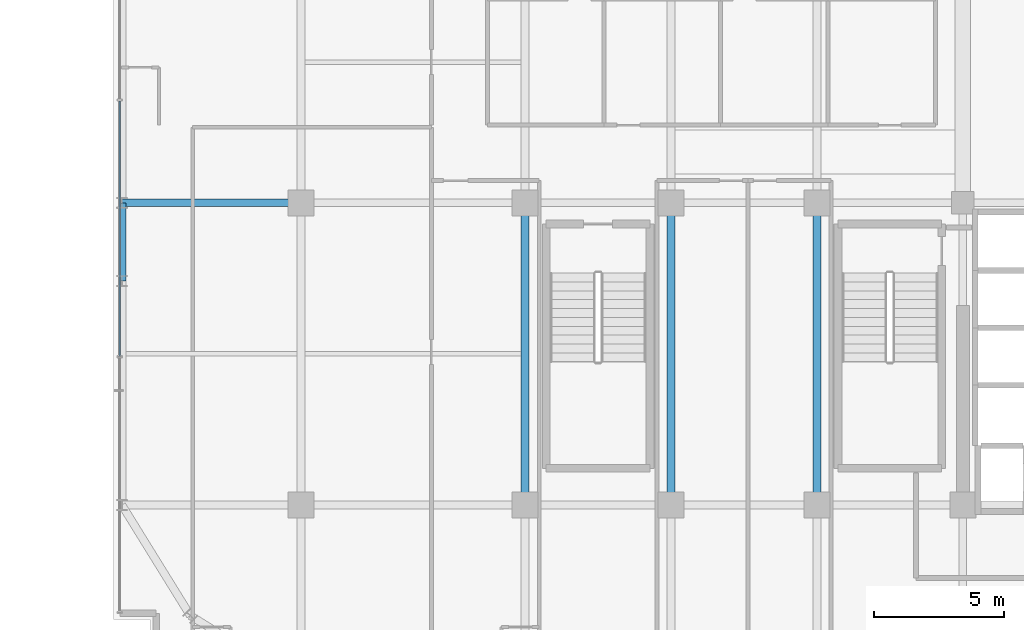
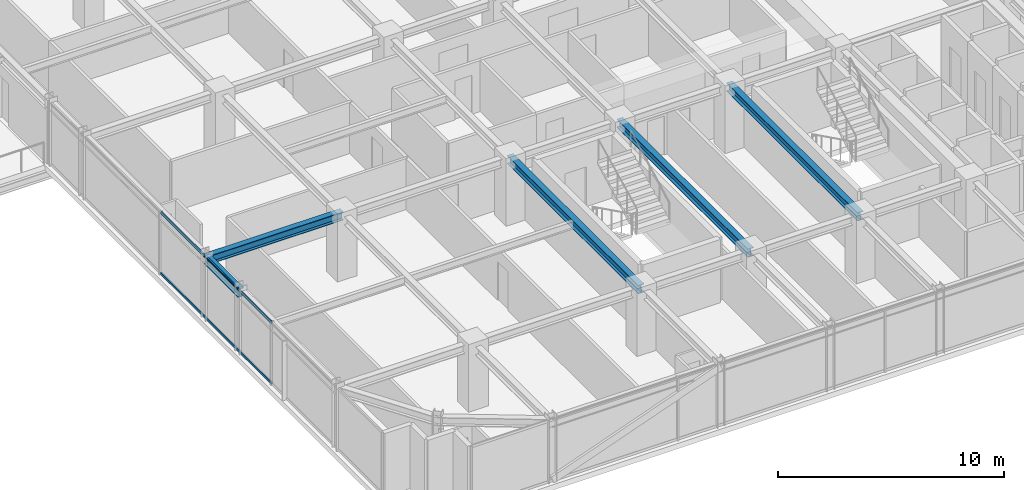
# One storey, part 9 of 36: 5 beams, 2 members, 1 element without a shape of its own.
"""IFC4 building model written with IfcOpenShell, lengths in metres."""

from ifc_helpers import new_model, si_unit, direction, frame, origin, origin_2d, place, context, subcontext, project, spatial, hollow_rectangle, i_section, extrude, source, transform, mapped, material, material_profile, profile_set, type_object, element, aggregate, save


model = new_model("IFC4")

# Units and contexts
model_context = context("Model", 3, precision=1e-05, world=origin(), true_north=direction((0.0, 1.0)))
body_context = subcontext(model_context, "Body", "Model", "MODEL_VIEW")
ifc_project = project(units=[si_unit("LENGTHUNIT", "METRE"), si_unit("AREAUNIT", "SQUARE_METRE"), si_unit("VOLUMEUNIT", "CUBIC_METRE"), si_unit("PLANEANGLEUNIT", "RADIAN"), si_unit("MASSUNIT", "GRAM", prefix="KILO")], contexts=[model_context])

# Site, building, storey
site_placement = place(None, origin())
site = spatial("IfcSite", under=ifc_project, at=site_placement, CompositionType="ELEMENT")
building_placement = place(site_placement, origin())
building = spatial("IfcBuilding", under=site, at=building_placement, Name="Nahalor Promenade Grand Hotel", CompositionType="ELEMENT")
storey_placement = place(building_placement, frame((0.0, 0.0, 241.89990234375)))
storey = spatial("IfcBuildingStorey", under=building, at=storey_placement, Name="L62", CompositionType="ELEMENT", Elevation=241.89990234375)

# Beams
ifc_material_1 = material(Name="Steel S355JR", Category="steel")
ifc_material_profile_1 = material_profile(ifc_material_1, i_section(OverallWidth=0.3, OverallDepth=0.45, WebThickness=0.014, FlangeThickness=0.026, at=origin_2d()), Name="HEB 450")
ifc_profile_set_1 = profile_set([ifc_material_profile_1], Name="Steel S355JR")
beam_type_1 = type_object("IfcBeamType", Name="Beam-Spandrel-HEB450", PredefinedType="SPANDREL", material=ifc_profile_set_1)
shared_shape_1 = source(origin(), body_context, "Body", "SweptSolid", [
    extrude(i_section(OverallWidth=0.3, OverallDepth=0.45, WebThickness=0.014, FlangeThickness=0.026, at=origin_2d()), origin(), (0.0, 0.0, 1.0), 3.0),
])
beam_1_placement = place(storey_placement, frame((-23.8798828125, -8.39990234375, 3.18505859375), z_axis=(0.0, 1.0, 0.0), x_axis=(-1.0, 0.0, 0.0)))
element("IfcBeam", 1, at=beam_1_placement, inside=storey, type_object=beam_type_1, Name="BM-L62-SP-W-1", PredefinedType="SPANDREL", context=body_context, shape_type="MappedRepresentation", body=[
    mapped(shared_shape_1, transform((0.0, 0.0, 0.0), scale=1.0)),
])
ifc_material_profile_2 = material_profile(ifc_material_1, i_section(OverallWidth=0.3, OverallDepth=0.45, WebThickness=0.014, FlangeThickness=0.026, at=origin_2d()), Name="HEB 450")
ifc_profile_set_2 = profile_set([ifc_material_profile_2], Name="Steel S355JR")
beam_type_2 = type_object("IfcBeamType", Name="Beam-Girder-HEB450", PredefinedType="BEAM", material=ifc_profile_set_2)
shared_shape_2 = source(origin(), body_context, "Body", "SweptSolid", [
    extrude(i_section(OverallWidth=0.3, OverallDepth=0.45, WebThickness=0.014, FlangeThickness=0.026, at=origin_2d()), origin(), (0.0, 0.0, 1.0), 6.8798828125),
])
beam_2_placement = place(storey_placement, frame((-23.8798828125, -5.39990234375, 3.18505859375), z_axis=(1.0, 0.0, 0.0), x_axis=(0.0, 1.0, 0.0)))
element("IfcBeam", 2, at=beam_2_placement, inside=storey, type_object=beam_type_2, Name="BM-L62-GX-1-0", PredefinedType="BEAM", context=body_context, shape_type="MappedRepresentation", body=[
    mapped(shared_shape_2, transform((0.0, 0.0, 0.0), scale=1.0)),
])
shared_shape_3 = source(origin(), body_context, "Body", "SweptSolid", [
    extrude(i_section(OverallWidth=0.3, OverallDepth=0.45, WebThickness=0.014, FlangeThickness=0.026, at=origin_2d()), origin(), (0.0, 0.0, 1.0), 11.60009765625),
])
for number, where, z_axis, x_axis, name in (
    (3, (-8.39990234375, -17.0, 3.18505859375), (0.0, 1.0, 0.0), (-1.0, 0.0, 0.0), "BM-L62-GY-1-1"),
    (4, (-2.800048828125, -17.0, 3.18505859375), (0.0, 1.0, 0.0), (-1.0, 0.0, 0.0), "BM-L62-GY-2-1"),
    (5, (2.800048828125, -17.0, 3.18505859375), (0.0, 1.0, 0.0), (-1.0, 0.0, 0.0), "BM-L62-GY-3-1"),
):
    element("IfcBeam", number, at=place(storey_placement, frame(where, z_axis=z_axis, x_axis=x_axis)), inside=storey, type_object=beam_type_2, Name=name, PredefinedType="BEAM", context=body_context, shape_type="MappedRepresentation", body=[
        mapped(shared_shape_3, transform((0.0, 0.0, 0.0), scale=1.0)),
    ])

# Curtain wall, members
ifc_material_2 = material(Name="Anodised Bronze Aluminium EN AW-6063 T6", Category="aluminium")
curtain_wall_type = type_object("IfcCurtainWallType", Name="CW2 Typical Hotel Flush Bronze Unitised Curtain Wall", PredefinedType="USERDEFINED", material=ifc_material_2)
curtain_wall_placement = place(storey_placement, origin())
curtain_wall = element("IfcCurtainWall", 6, at=curtain_wall_placement, inside=storey, type_object=curtain_wall_type, Name="L62 Curtain Wall CW-L62-W-1", ObjectType="UNITISED_CURTAIN_WALL", PredefinedType="USERDEFINED")
ifc_material_profile_3 = material_profile(ifc_material_2, hollow_rectangle(XDim=0.065, YDim=0.13, WallThickness=0.004, at=origin_2d()), Name="CWT 65x130x4")
ifc_profile_set_3 = profile_set([ifc_material_profile_3], Name="Anodised Bronze Aluminium EN AW-6063 T6")
member_type = type_object("IfcMemberType", Name="CWT2 Typical Bronze Transom 65x130", PredefinedType="USERDEFINED", material=ifc_profile_set_3)
shared_shape_4 = source(origin(), body_context, "Body", "SweptSolid", [
    extrude(hollow_rectangle(XDim=0.065, YDim=0.13, WallThickness=0.004, at=origin_2d()), origin(), (0.0, 0.0, 1.0), 9.788330078125),
])
member_1_placement = place(storey_placement, frame((-23.9599609375, -11.274169921875, 0.065185546875), z_axis=(0.0, 1.0, 0.0), x_axis=(-1.0, 0.0, 0.0)))
member_1 = element("IfcMember", 7, at=member_1_placement, type_object=member_type, Name="CW-L62-W-1 Transom 1-0", ObjectType="TRANSOM", PredefinedType="USERDEFINED", context=body_context, shape_type="MappedRepresentation", body=[
    mapped(shared_shape_4, transform((0.0, 0.0, 0.0), scale=1.0)),
])
member_2_placement = place(storey_placement, frame((-23.9599609375, -11.274169921875, 3.34521484375), z_axis=(0.0, 1.0, 0.0), x_axis=(-1.0, 0.0, 0.0)))
member_2 = element("IfcMember", 8, at=member_2_placement, type_object=member_type, Name="CW-L62-W-1 Transom 1-1", ObjectType="TRANSOM", PredefinedType="USERDEFINED", context=body_context, shape_type="MappedRepresentation", body=[
    mapped(shared_shape_4, transform((0.0, 0.0, 0.0), scale=1.0)),
])
aggregate(curtain_wall, [member_1, member_2])

save(model, "model.ifc")
